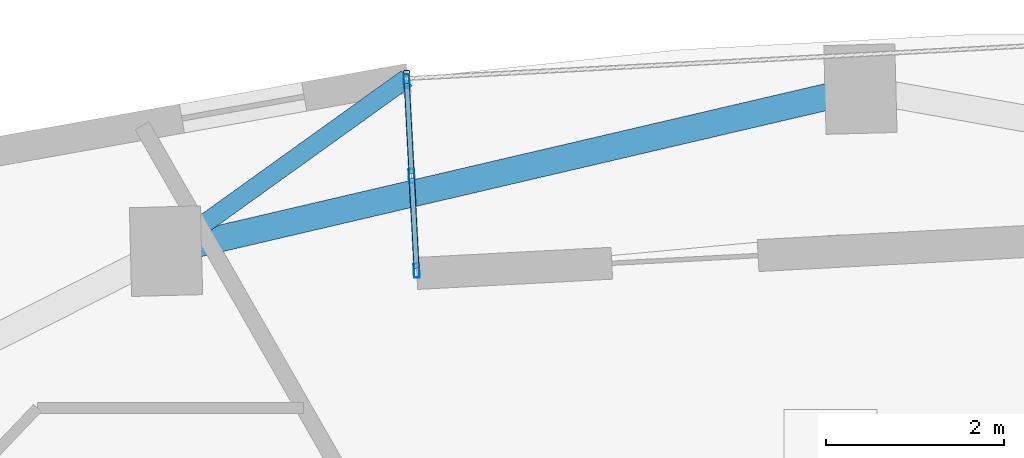
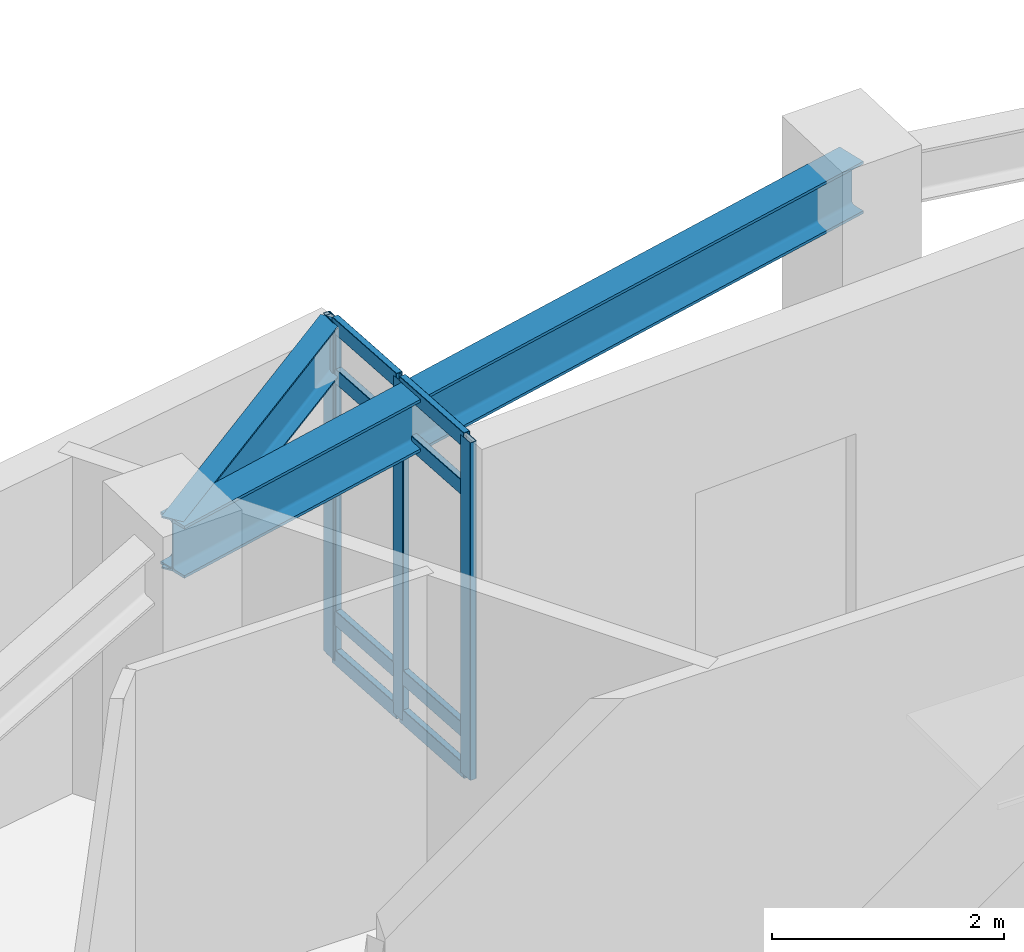
# One storey, part 2 of 12: 12 members, 2 beams, 1 element without a shape of its own.
"""IFC4 building model written with IfcOpenShell, lengths in metres."""

from ifc_helpers import new_model, si_unit, direction, frame, origin, origin_2d, place, context, subcontext, project, spatial, hollow_rectangle, i_section, extrude, material, layer, layer_set, material_profile, profile_set, type_object, element, aggregate, save


model = new_model("IFC4")

# Units and contexts
model_context = context("Model", 3, precision=1e-05, world=origin(), true_north=direction((0.0, 1.0)))
body_context = subcontext(model_context, "Body", "Model", "MODEL_VIEW")
ifc_project = project(units=[si_unit("LENGTHUNIT", "METRE"), si_unit("AREAUNIT", "SQUARE_METRE"), si_unit("VOLUMEUNIT", "CUBIC_METRE"), si_unit("PLANEANGLEUNIT", "RADIAN"), si_unit("MASSUNIT", "GRAM", prefix="KILO")], contexts=[model_context])

# Site, building, storey
site_placement = place(None, origin())
site = spatial("IfcSite", under=ifc_project, at=site_placement, CompositionType="ELEMENT")
building_placement = place(site_placement, origin())
building = spatial("IfcBuilding", under=site, at=building_placement, Name="Ndelora Gate Hotel", CompositionType="ELEMENT")
storey_placement = place(building_placement, frame((0.0, 0.0, 220.75)))
storey = spatial("IfcBuildingStorey", under=building, at=storey_placement, Name="L55", CompositionType="ELEMENT", Elevation=220.75)

# Beams
ifc_material_1 = material(Name="Steel S355", Category="steel")
ifc_material_profile_1 = material_profile(ifc_material_1, i_section(OverallWidth=0.2099609375, OverallDepth=0.550048828125, WebThickness=0.010986328125, FlangeThickness=0.01708984375, FilletRadius=0.02392578125, at=origin_2d()), Name="IPE 550")
ifc_profile_set_1 = profile_set([ifc_material_profile_1], Name="Steel S355")
beam_type_1 = type_object("IfcBeamType", Name="BM-RAD-550", PredefinedType="BEAM", material=ifc_profile_set_1)
beam_1_placement = place(storey_placement, frame((-8.2216796875, 13.41650390625, 3.27490234375), z_axis=(0.812262393931, 0.583292210993, 0.0), x_axis=(-0.583292210993, 0.812262393931, 0.0)))
element("IfcBeam", 1, at=beam_1_placement, inside=storey, type_object=beam_type_1, Name="L55 Sky-Garden Loggia Column Bracket 3", PredefinedType="BEAM", context=body_context, shape_type="SweptSolid", body=[
    extrude(i_section(OverallWidth=0.2099609375, OverallDepth=0.550048828125, WebThickness=0.010986328125, FlangeThickness=0.01708984375, FilletRadius=0.02392578125, at=origin_2d()), origin(), (0.0, 0.0, 1.0), 3.33642578125),
])
ifc_material_profile_2 = material_profile(ifc_material_1, i_section(OverallWidth=0.300048828125, OverallDepth=0.550048828125, WebThickness=0.014892578125, FlangeThickness=0.029052734375, FilletRadius=0.027099609375, at=origin_2d()), Name="HEB 550")
ifc_profile_set_2 = profile_set([ifc_material_profile_2], Name="Steel S355")
beam_type_2 = type_object("IfcBeamType", Name="BM-RING-550", PredefinedType="SPANDREL", material=ifc_profile_set_2)
beam_2_placement = place(storey_placement, frame((-0.399169921875, 15.242919921875, 3.27490234375), z_axis=(-0.973809142107, -0.227367004529, 0.0), x_axis=(0.227367004529, -0.973809142107, 0.0)))
element("IfcBeam", 2, at=beam_2_placement, inside=storey, type_object=beam_type_2, Name="L55 Perimeter Spandrel Girder 11", PredefinedType="SPANDREL", context=body_context, shape_type="SweptSolid", body=[
    extrude(i_section(OverallWidth=0.300048828125, OverallDepth=0.550048828125, WebThickness=0.014892578125, FlangeThickness=0.029052734375, FilletRadius=0.027099609375, at=origin_2d()), origin(), (0.0, 0.0, 1.0), 8.032958984375),
])

# Curtain wall, members
ifc_material_2 = material(Name="Bronze Anodised Unitised Aluminium and Low-E Glass", Category="aluminium")
ifc_layer = layer(ifc_material_2, 0.199951171875)
ifc_layer_set = layer_set([ifc_layer], Name="Bronze Anodised Unitised Aluminium and Low-E Glass")
curtain_wall_type = type_object("IfcCurtainWallType", Name="CW-SYS-3", PredefinedType="NOTDEFINED", material=ifc_layer_set)
curtain_wall_placement = place(storey_placement, origin())
curtain_wall = element("IfcCurtainWall", 3, at=curtain_wall_placement, inside=storey, type_object=curtain_wall_type, Name="L55 Sky-Garden Loggia Side Curtain Wall CW3-2", PredefinedType="NOTDEFINED")
ifc_material_3 = material(Name="Bronze Anodised Aluminium 6063-T6", Category="aluminium")
ifc_material_profile_3 = material_profile(ifc_material_3, hollow_rectangle(XDim=0.06494140625, YDim=0.159912109375, WallThickness=0.00390625, InnerFilletRadius=0.00390625, OuterFilletRadius=0.008056640625, at=origin_2d()), Name="ALU 160x65x4")
ifc_profile_set_3 = profile_set([ifc_material_profile_3], Name="Bronze Anodised Aluminium 6063-T6")
member_type_1 = type_object("IfcMemberType", Name="MB-CW-MUL150", PredefinedType="MULLION", material=ifc_profile_set_3)
member_1_placement = place(storey_placement, frame((-5.510009765625, 15.330078125, -0.00390625), z_axis=(0.0, 0.0, 1.0), x_axis=(0.998628106419, 0.052363203389, 0.0)))
member_1 = element("IfcMember", 4, at=member_1_placement, type_object=member_type_1, Name="CW3 mullion 1", PredefinedType="MULLION", context=body_context, shape_type="SweptSolid", body=[
    extrude(hollow_rectangle(XDim=0.06494140625, YDim=0.159912109375, WallThickness=0.00390625, InnerFilletRadius=0.00390625, OuterFilletRadius=0.008056640625, at=origin_2d()), origin(), (0.0, 0.0, 1.0), 3.557861328125),
])
member_2_placement = place(storey_placement, frame((-5.4541015625, 14.263916015625, -0.00390625), z_axis=(0.0, 0.0, 1.0), x_axis=(0.998628106419, 0.052363203389, 0.0)))
member_2 = element("IfcMember", 5, at=member_2_placement, type_object=member_type_1, Name="CW3 mullion 2", PredefinedType="MULLION", context=body_context, shape_type="SweptSolid", body=[
    extrude(hollow_rectangle(XDim=0.06494140625, YDim=0.159912109375, WallThickness=0.00390625, InnerFilletRadius=0.00390625, OuterFilletRadius=0.008056640625, at=origin_2d()), origin(), (0.0, 0.0, 1.0), 3.557861328125),
])
member_3_placement = place(storey_placement, frame((-5.398193359375, 13.197998046875, -0.00390625), z_axis=(0.0, 0.0, 1.0), x_axis=(0.998628106419, 0.052363203389, 0.0)))
member_3 = element("IfcMember", 6, at=member_3_placement, type_object=member_type_1, Name="CW3 mullion 3", PredefinedType="MULLION", context=body_context, shape_type="SweptSolid", body=[
    extrude(hollow_rectangle(XDim=0.06494140625, YDim=0.159912109375, WallThickness=0.00390625, InnerFilletRadius=0.00390625, OuterFilletRadius=0.008056640625, at=origin_2d()), origin(), (0.0, 0.0, 1.0), 3.557861328125),
])
ifc_material_profile_4 = material_profile(ifc_material_3, hollow_rectangle(XDim=0.070068359375, YDim=0.179931640625, WallThickness=0.0048828125, InnerFilletRadius=0.0048828125, OuterFilletRadius=0.010009765625, at=origin_2d()), Name="ALU 180x70x5")
ifc_profile_set_4 = profile_set([ifc_material_profile_4], Name="Bronze Anodised Aluminium 6063-T6")
member_type_2 = type_object("IfcMemberType", Name="MB-CW-MUL180", PredefinedType="MULLION", material=ifc_profile_set_4)
member_4_placement = place(storey_placement, frame((-5.51171875, 15.362548828125, 0.0), z_axis=(0.0, 0.0, 1.0), x_axis=(1.0, 0.0, 0.0)))
member_4 = element("IfcMember", 7, at=member_4_placement, type_object=member_type_2, Name="L55 Sky-Garden Loggia Corner Mullion Post 2", PredefinedType="MULLION", context=body_context, shape_type="SweptSolid", body=[
    extrude(hollow_rectangle(XDim=0.070068359375, YDim=0.179931640625, WallThickness=0.0048828125, InnerFilletRadius=0.0048828125, OuterFilletRadius=0.010009765625, at=origin_2d()), origin(), (0.0, 0.0, 1.0), 3.550048828125),
])
ifc_material_profile_5 = material_profile(ifc_material_3, hollow_rectangle(XDim=0.06494140625, YDim=0.159912109375, WallThickness=0.00390625, InnerFilletRadius=0.00390625, OuterFilletRadius=0.008056640625, at=origin_2d()), Name="ALU 160x65x4")
ifc_profile_set_5 = profile_set([ifc_material_profile_5], Name="Bronze Anodised Aluminium 6063-T6")
member_type_3 = type_object("IfcMemberType", Name="MB-CW-TRN150", PredefinedType="USERDEFINED", material=ifc_profile_set_5)
member_5_placement = place(storey_placement, frame((-5.508544921875, 15.303466796875, 0.032470703125), z_axis=(0.052470402642, -0.998622479642, 0.0), x_axis=(0.998622479642, 0.052470402642, 0.0)))
member_5 = element("IfcMember", 8, at=member_5_placement, type_object=member_type_3, Name="CW3 transom 1.1", ObjectType="TRANSOM", PredefinedType="USERDEFINED", context=body_context, shape_type="SweptSolid", body=[
    extrude(hollow_rectangle(XDim=0.06494140625, YDim=0.159912109375, WallThickness=0.00390625, InnerFilletRadius=0.00390625, OuterFilletRadius=0.008056640625, at=origin_2d()), origin(), (0.0, 0.0, 1.0), 1.014404296875),
])
member_6_placement = place(storey_placement, frame((-5.508544921875, 15.303466796875, 0.449951171875), z_axis=(0.052470402642, -0.998622479642, 0.0), x_axis=(0.998622479642, 0.052470402642, 0.0)))
member_6 = element("IfcMember", 9, at=member_6_placement, type_object=member_type_3, Name="CW3 transom 1.2", ObjectType="TRANSOM", PredefinedType="USERDEFINED", context=body_context, shape_type="SweptSolid", body=[
    extrude(hollow_rectangle(XDim=0.06494140625, YDim=0.159912109375, WallThickness=0.00390625, InnerFilletRadius=0.00390625, OuterFilletRadius=0.008056640625, at=origin_2d()), origin(), (0.0, 0.0, 1.0), 1.014404296875),
])
member_7_placement = place(storey_placement, frame((-5.508544921875, 15.303466796875, 3.0), z_axis=(0.052470402642, -0.998622479642, 0.0), x_axis=(0.998622479642, 0.052470402642, 0.0)))
member_7 = element("IfcMember", 10, at=member_7_placement, type_object=member_type_3, Name="CW3 transom 1.3", ObjectType="TRANSOM", PredefinedType="USERDEFINED", context=body_context, shape_type="SweptSolid", body=[
    extrude(hollow_rectangle(XDim=0.06494140625, YDim=0.159912109375, WallThickness=0.00390625, InnerFilletRadius=0.00390625, OuterFilletRadius=0.008056640625, at=origin_2d()), origin(), (0.0, 0.0, 1.0), 1.014404296875),
])
member_8_placement = place(storey_placement, frame((-5.508544921875, 15.303466796875, 3.517578125), z_axis=(0.052470402642, -0.998622479642, 0.0), x_axis=(0.998622479642, 0.052470402642, 0.0)))
member_8 = element("IfcMember", 11, at=member_8_placement, type_object=member_type_3, Name="CW3 transom 1.4", ObjectType="TRANSOM", PredefinedType="USERDEFINED", context=body_context, shape_type="SweptSolid", body=[
    extrude(hollow_rectangle(XDim=0.06494140625, YDim=0.159912109375, WallThickness=0.00390625, InnerFilletRadius=0.00390625, OuterFilletRadius=0.008056640625, at=origin_2d()), origin(), (0.0, 0.0, 1.0), 1.014404296875),
])
member_9_placement = place(storey_placement, frame((-5.45263671875, 14.237548828125, 0.032470703125), z_axis=(0.052457793968, -0.998623142057, 0.0), x_axis=(0.998623142057, 0.052457793968, 0.0)))
member_9 = element("IfcMember", 12, at=member_9_placement, type_object=member_type_3, Name="CW3 transom 2.1", ObjectType="TRANSOM", PredefinedType="USERDEFINED", context=body_context, shape_type="SweptSolid", body=[
    extrude(hollow_rectangle(XDim=0.06494140625, YDim=0.159912109375, WallThickness=0.00390625, InnerFilletRadius=0.00390625, OuterFilletRadius=0.008056640625, at=origin_2d()), origin(), (0.0, 0.0, 1.0), 1.0146484375),
])
member_10_placement = place(storey_placement, frame((-5.45263671875, 14.237548828125, 0.449951171875), z_axis=(0.052457793968, -0.998623142057, 0.0), x_axis=(0.998623142057, 0.052457793968, 0.0)))
member_10 = element("IfcMember", 13, at=member_10_placement, type_object=member_type_3, Name="CW3 transom 2.2", ObjectType="TRANSOM", PredefinedType="USERDEFINED", context=body_context, shape_type="SweptSolid", body=[
    extrude(hollow_rectangle(XDim=0.06494140625, YDim=0.159912109375, WallThickness=0.00390625, InnerFilletRadius=0.00390625, OuterFilletRadius=0.008056640625, at=origin_2d()), origin(), (0.0, 0.0, 1.0), 1.0146484375),
])
member_11_placement = place(storey_placement, frame((-5.45263671875, 14.237548828125, 3.0), z_axis=(0.052457793968, -0.998623142057, 0.0), x_axis=(0.998623142057, 0.052457793968, 0.0)))
member_11 = element("IfcMember", 14, at=member_11_placement, type_object=member_type_3, Name="CW3 transom 2.3", ObjectType="TRANSOM", PredefinedType="USERDEFINED", context=body_context, shape_type="SweptSolid", body=[
    extrude(hollow_rectangle(XDim=0.06494140625, YDim=0.159912109375, WallThickness=0.00390625, InnerFilletRadius=0.00390625, OuterFilletRadius=0.008056640625, at=origin_2d()), origin(), (0.0, 0.0, 1.0), 1.0146484375),
])
member_12_placement = place(storey_placement, frame((-5.45263671875, 14.237548828125, 3.517578125), z_axis=(0.052457793968, -0.998623142057, 0.0), x_axis=(0.998623142057, 0.052457793968, 0.0)))
member_12 = element("IfcMember", 15, at=member_12_placement, type_object=member_type_3, Name="CW3 transom 2.4", ObjectType="TRANSOM", PredefinedType="USERDEFINED", context=body_context, shape_type="SweptSolid", body=[
    extrude(hollow_rectangle(XDim=0.06494140625, YDim=0.159912109375, WallThickness=0.00390625, InnerFilletRadius=0.00390625, OuterFilletRadius=0.008056640625, at=origin_2d()), origin(), (0.0, 0.0, 1.0), 1.0146484375),
])
aggregate(curtain_wall, [member_1, member_2, member_3, member_5, member_6, member_7, member_8, member_9, member_10, member_11, member_12, member_4])

save(model, "model.ifc")
